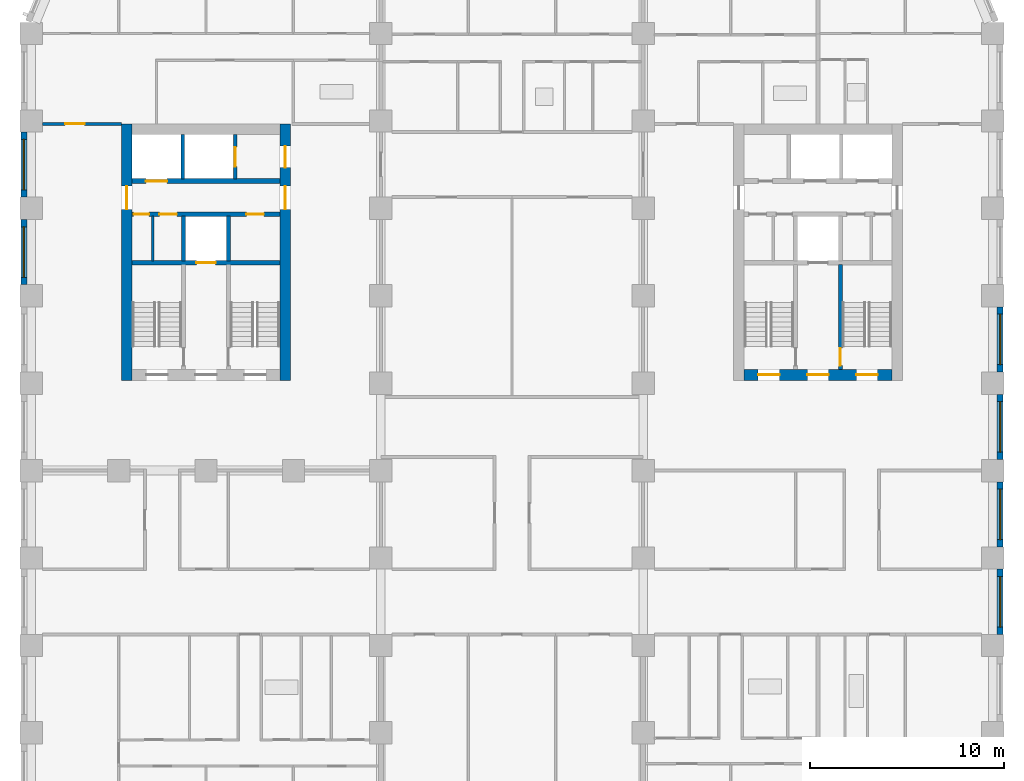
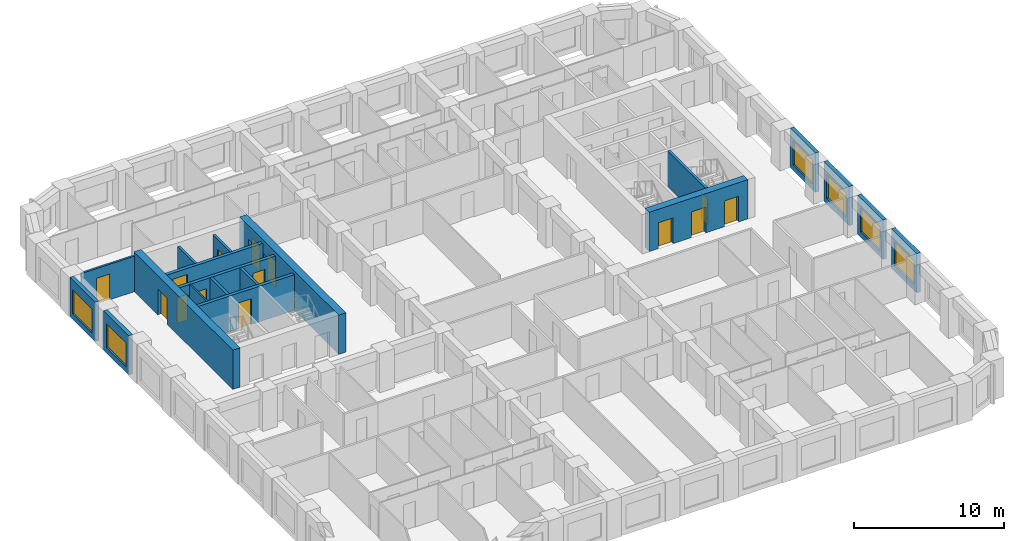
# One storey, part 6 of 13: 19 walls, 14 doors, 6 windows, 20 openings.
"""IFC4 building model written with IfcOpenShell, lengths in metres."""

from ifc_helpers import new_model, si_unit, direction, frame, frame_2d, origin, place, context, subcontext, project, spatial, rectangle, extrude, material, layer, layer_set, type_object, element, fill, save


model = new_model("IFC4")

# Units and contexts
model_context = context("Model", 3, precision=1e-05, world=origin(), true_north=direction((0.0, 1.0)))
body_context = subcontext(model_context, "Body", "Model", "MODEL_VIEW")
ifc_project = project(units=[si_unit("LENGTHUNIT", "METRE"), si_unit("AREAUNIT", "SQUARE_METRE"), si_unit("VOLUMEUNIT", "CUBIC_METRE"), si_unit("PLANEANGLEUNIT", "RADIAN"), si_unit("MASSUNIT", "GRAM", prefix="KILO")], contexts=[model_context])

# Site, building, storey
site_placement = place(None, origin())
site = spatial("IfcSite", under=ifc_project, at=site_placement, CompositionType="ELEMENT")
building_placement = place(site_placement, origin())
building = spatial("IfcBuilding", under=site, at=building_placement, Name="Girih Gate Residences", CompositionType="ELEMENT")
storey_placement = place(building_placement, frame((0.0, 0.0, 83.199951171875)))
storey = spatial("IfcBuildingStorey", under=building, at=storey_placement, Name="L22", CompositionType="ELEMENT", Elevation=83.199951171875)

# Wall, opening, door
ifc_material_1 = material(Name="Gypsum board on steel studs", Category="steel")
ifc_layer_1 = layer(ifc_material_1, 0.14990234375)
ifc_layer_set_1 = layer_set([ifc_layer_1], Name="Compartment wall 150 mm")
wall_type_1 = type_object("IfcWallType", Name="Compartment wall 150 mm", PredefinedType="PARTITIONING", material=ifc_layer_set_1)
wall_1_placement = place(storey_placement, frame((0.574951171875, 40.35009765625, 0.0), z_axis=(0.0, 0.0, 1.0), x_axis=(1.0, 0.0, 0.0)))
wall_1 = element("IfcWall", 1, at=wall_1_placement, inside=storey, type_object=wall_type_1, Name="L22 partition", PredefinedType="PARTITIONING", context=body_context, shape_type="SweptSolid", body=[
    extrude(rectangle(XDim=4.074951171875, YDim=0.14990234375, at=frame_2d((2.03759765625, 0.0))), origin(), (0.0, 0.0, 1.0), 2.900146484375),
])
opening_1_placement = place(wall_1_placement, frame((1.175048828125, 0.0, 0.0)))
opening_1 = element("IfcOpeningElement", 2, at=opening_1_placement, cuts=wall_1, Name="Opening A22-017", PredefinedType="OPENING", context=body_context, shape_type="SweptSolid", body=[
    extrude(rectangle(XDim=1.0, YDim=2.10009765625, at=frame_2d((0.5, 1.050048828125))), frame((0.0, 0.0849609375, 0.0), z_axis=(0.0, -1.0, 0.0), x_axis=(1.0, 0.0, 0.0)), (0.0, 0.0, 1.0), 0.169921875),
])
ifc_material_2 = material(Name="Timber, fire-rated core", Category="wood")
door_type_1 = type_object("IfcDoorType", Name="Flat entrance door 1000x2100 FD30S", OperationType="NOTDEFINED", PredefinedType="DOOR", material=ifc_material_2)
door_1_placement = place(opening_1_placement, origin())
door_1 = element("IfcDoor", 3, at=door_1_placement, inside=storey, type_object=door_type_1, Name="Door A22-017", OperationType="SINGLE_SWING_LEFT", OverallHeight=2.10009765625, OverallWidth=1.0, PredefinedType="DOOR", context=body_context, shape_type="SweptSolid", body=[
    extrude(rectangle(XDim=1.0, YDim=2.10009765625, at=frame_2d((0.5, 1.050048828125))), frame((0.0, 0.02490234375, 0.0), z_axis=(0.0, -1.0, 0.0), x_axis=(1.0, 0.0, 0.0)), (0.0, 0.0, 1.0), 0.050048828125),
])
fill(opening_1, door_1)

ifc_material_3 = material(Name="Concrete C60/75", Category="concrete")
ifc_layer_2 = layer(ifc_material_3, 0.550048828125)
ifc_layer_set_2 = layer_set([ifc_layer_2], Name="Core wall RC 550 Concrete C60/75")
wall_type_2 = type_object("IfcWallType", Name="Core wall RC 550 Concrete C60/75", PredefinedType="SOLIDWALL", material=ifc_layer_set_2)
wall_2_placement = place(storey_placement, frame((4.925048828125, 27.14990234375, 0.0), z_axis=(0.0, 0.0, 1.0), x_axis=(0.0, 1.0, 0.0)))
wall_2 = element("IfcWall", 4, at=wall_2_placement, inside=storey, type_object=wall_type_2, Name="Core wall W-W L22", PredefinedType="SOLIDWALL", context=body_context, shape_type="SweptSolid", body=[
    extrude(rectangle(XDim=13.2001953125, YDim=0.550048828125, at=frame_2d((6.60009765625, 0.0))), origin(), (0.0, 0.0, 1.0), 3.199951171875),
])
opening_2_placement = place(wall_2_placement, frame((8.800048828125, 0.0, 0.0)))
opening_2 = element("IfcOpeningElement", 5, at=opening_2_placement, cuts=wall_2, Name="Opening D-L22-W-013", PredefinedType="OPENING", context=body_context, shape_type="SweptSolid", body=[
    extrude(rectangle(XDim=1.199951171875, YDim=2.10009765625, at=frame_2d((0.60009765625, 1.050048828125))), frame((0.0, 0.284912109375, 0.0), z_axis=(0.0, -1.0, 0.0), x_axis=(1.0, 0.0, 0.0)), (0.0, 0.0, 1.0), 0.570068359375),
])
ifc_material_4 = material(Name="Painted steel, fire-resisting", Category="steel")
door_type_2 = type_object("IfcDoorType", Name="Fire door 1200x2100", OperationType="SINGLE_SWING_LEFT", PredefinedType="DOOR", material=ifc_material_4)
door_2_placement = place(opening_2_placement, origin())
door_2 = element("IfcDoor", 6, at=door_2_placement, inside=storey, type_object=door_type_2, Name="L22 W core door ll-w", OperationType="SINGLE_SWING_LEFT", OverallHeight=2.10009765625, OverallWidth=1.199951171875, PredefinedType="DOOR", context=body_context, shape_type="SweptSolid", body=[
    extrude(rectangle(XDim=1.199951171875, YDim=2.10009765625, at=frame_2d((0.60009765625, 1.050048828125))), frame((0.0, 0.02490234375, 0.0), z_axis=(0.0, -1.0, 0.0), x_axis=(1.0, 0.0, 0.0)), (0.0, 0.0, 1.0), 0.050048828125),
])
fill(opening_2, door_2)

# Wall, openings, doors
wall_3_placement = place(storey_placement, frame((13.074951171875, 27.14990234375, 0.0), z_axis=(0.0, 0.0, 1.0), x_axis=(0.0, 1.0, 0.0)))
wall_3 = element("IfcWall", 7, at=wall_3_placement, inside=storey, type_object=wall_type_2, Name="Core wall W-E L22", PredefinedType="SOLIDWALL", context=body_context, shape_type="SweptSolid", body=[
    extrude(rectangle(XDim=13.2001953125, YDim=0.550048828125, at=frame_2d((6.60009765625, 0.0))), origin(), (0.0, 0.0, 1.0), 3.199951171875),
])
opening_3_placement = place(wall_3_placement, frame((10.949951171875, 0.0, 0.0)))
opening_3 = element("IfcOpeningElement", 8, at=opening_3_placement, cuts=wall_3, Name="Opening D-L22-W-012", PredefinedType="OPENING", context=body_context, shape_type="SweptSolid", body=[
    extrude(rectangle(XDim=1.10009765625, YDim=2.10009765625, at=frame_2d((0.550048828125, 1.050048828125))), frame((0.0, 0.284912109375, 0.0), z_axis=(0.0, -1.0, 0.0), x_axis=(1.0, 0.0, 0.0)), (0.0, 0.0, 1.0), 0.570068359375),
])
opening_4_placement = place(wall_3_placement, frame((8.800048828125, 0.0, 0.0)))
opening_4 = element("IfcOpeningElement", 9, at=opening_4_placement, cuts=wall_3, Name="Opening D-L22-W-014", PredefinedType="OPENING", context=body_context, shape_type="SweptSolid", body=[
    extrude(rectangle(XDim=1.199951171875, YDim=2.10009765625, at=frame_2d((0.60009765625, 1.050048828125))), frame((0.0, 0.284912109375, 0.0), z_axis=(0.0, -1.0, 0.0), x_axis=(1.0, 0.0, 0.0)), (0.0, 0.0, 1.0), 0.570068359375),
])
door_type_3 = type_object("IfcDoorType", Name="Fire door 1100x2100", OperationType="SINGLE_SWING_LEFT", PredefinedType="DOOR", material=ifc_material_4)
door_3_placement = place(opening_3_placement, origin())
door_3 = element("IfcDoor", 10, at=door_3_placement, inside=storey, type_object=door_type_3, Name="L22 W core door ffl2-e", OperationType="SINGLE_SWING_LEFT", OverallHeight=2.10009765625, OverallWidth=1.10009765625, PredefinedType="DOOR", context=body_context, shape_type="SweptSolid", body=[
    extrude(rectangle(XDim=1.10009765625, YDim=2.10009765625, at=frame_2d((0.550048828125, 1.050048828125))), frame((0.0, 0.02490234375, 0.0), z_axis=(0.0, -1.0, 0.0), x_axis=(1.0, 0.0, 0.0)), (0.0, 0.0, 1.0), 0.050048828125),
])
fill(opening_3, door_3)
door_4_placement = place(opening_4_placement, origin())
door_4 = element("IfcDoor", 11, at=door_4_placement, inside=storey, type_object=door_type_2, Name="L22 W core door ll-e", OperationType="SINGLE_SWING_LEFT", OverallHeight=2.10009765625, OverallWidth=1.199951171875, PredefinedType="DOOR", context=body_context, shape_type="SweptSolid", body=[
    extrude(rectangle(XDim=1.199951171875, YDim=2.10009765625, at=frame_2d((0.60009765625, 1.050048828125))), frame((0.0, 0.02490234375, 0.0), z_axis=(0.0, -1.0, 0.0), x_axis=(1.0, 0.0, 0.0)), (0.0, 0.0, 1.0), 0.050048828125),
])
fill(opening_4, door_4)

wall_4_placement = place(storey_placement, frame((36.699951171875, 27.425048828125, 0.0), z_axis=(0.0, 0.0, 1.0), x_axis=(1.0, 0.0, 0.0)))
wall_4 = element("IfcWall", 12, at=wall_4_placement, inside=storey, type_object=wall_type_2, Name="Core wall E-S L22", PredefinedType="SOLIDWALL", context=body_context, shape_type="SweptSolid", body=[
    extrude(rectangle(XDim=7.60009765625, YDim=0.550048828125, at=frame_2d((3.800048828125, 0.0))), origin(), (0.0, 0.0, 1.0), 3.199951171875),
])
opening_5_placement = place(wall_4_placement, frame((5.77490234375, 0.0, 0.0)))
opening_5 = element("IfcOpeningElement", 13, at=opening_5_placement, cuts=wall_4, Name="Opening D-L22-E-011", PredefinedType="OPENING", context=body_context, shape_type="SweptSolid", body=[
    extrude(rectangle(XDim=1.10009765625, YDim=2.10009765625, at=frame_2d((0.550048828125, 1.050048828125))), frame((0.0, 0.284912109375, 0.0), z_axis=(0.0, -1.0, 0.0), x_axis=(1.0, 0.0, 0.0)), (0.0, 0.0, 1.0), 0.570068359375),
])
opening_6_placement = place(wall_4_placement, frame((3.25, 0.0, 0.0)))
opening_6 = element("IfcOpeningElement", 14, at=opening_6_placement, cuts=wall_4, Name="Opening D-L22-E-012", PredefinedType="OPENING", context=body_context, shape_type="SweptSolid", body=[
    extrude(rectangle(XDim=1.10009765625, YDim=2.10009765625, at=frame_2d((0.550048828125, 1.050048828125))), frame((0.0, 0.284912109375, 0.0), z_axis=(0.0, -1.0, 0.0), x_axis=(1.0, 0.0, 0.0)), (0.0, 0.0, 1.0), 0.570068359375),
])
opening_7_placement = place(wall_4_placement, frame((0.72509765625, 0.0, 0.0)))
opening_7 = element("IfcOpeningElement", 15, at=opening_7_placement, cuts=wall_4, Name="Opening D-L22-E-013", PredefinedType="OPENING", context=body_context, shape_type="SweptSolid", body=[
    extrude(rectangle(XDim=1.10009765625, YDim=2.10009765625, at=frame_2d((0.550048828125, 1.050048828125))), frame((0.0, 0.284912109375, 0.0), z_axis=(0.0, -1.0, 0.0), x_axis=(1.0, 0.0, 0.0)), (0.0, 0.0, 1.0), 0.570068359375),
])
door_5_placement = place(opening_5_placement, origin())
door_5 = element("IfcDoor", 16, at=door_5_placement, inside=storey, type_object=door_type_3, Name="L22 E core door sta-out", OperationType="SINGLE_SWING_LEFT", OverallHeight=2.10009765625, OverallWidth=1.10009765625, PredefinedType="DOOR", context=body_context, shape_type="SweptSolid", body=[
    extrude(rectangle(XDim=1.10009765625, YDim=2.10009765625, at=frame_2d((0.550048828125, 1.050048828125))), frame((0.0, 0.02490234375, 0.0), z_axis=(0.0, -1.0, 0.0), x_axis=(1.0, 0.0, 0.0)), (0.0, 0.0, 1.0), 0.050048828125),
])
fill(opening_5, door_5)
door_6_placement = place(opening_6_placement, origin())
door_6 = element("IfcDoor", 17, at=door_6_placement, inside=storey, type_object=door_type_3, Name="L22 E core door ffl-out", OperationType="SINGLE_SWING_LEFT", OverallHeight=2.10009765625, OverallWidth=1.10009765625, PredefinedType="DOOR", context=body_context, shape_type="SweptSolid", body=[
    extrude(rectangle(XDim=1.10009765625, YDim=2.10009765625, at=frame_2d((0.550048828125, 1.050048828125))), frame((0.0, 0.02490234375, 0.0), z_axis=(0.0, -1.0, 0.0), x_axis=(1.0, 0.0, 0.0)), (0.0, 0.0, 1.0), 0.050048828125),
])
fill(opening_6, door_6)
door_7_placement = place(opening_7_placement, origin())
door_7 = element("IfcDoor", 18, at=door_7_placement, inside=storey, type_object=door_type_3, Name="L22 E core door stb-out", OperationType="SINGLE_SWING_LEFT", OverallHeight=2.10009765625, OverallWidth=1.10009765625, PredefinedType="DOOR", context=body_context, shape_type="SweptSolid", body=[
    extrude(rectangle(XDim=1.10009765625, YDim=2.10009765625, at=frame_2d((0.550048828125, 1.050048828125))), frame((0.0, 0.02490234375, 0.0), z_axis=(0.0, -1.0, 0.0), x_axis=(1.0, 0.0, 0.0)), (0.0, 0.0, 1.0), 0.050048828125),
])
fill(opening_7, door_7)

# Wall, opening, door
ifc_material_5 = material(Name="Concrete C40/50", Category="concrete")
ifc_layer_3 = layer(ifc_material_5, 0.25)
ifc_layer_set_3 = layer_set([ifc_layer_3], Name="Lift shaft wall 250")
wall_type_3 = type_object("IfcWallType", Name="Lift shaft wall 250", PredefinedType="SOLIDWALL", material=ifc_layer_set_3)
wall_5_placement = place(storey_placement, frame((5.199951171875, 33.199951171875, 0.0), z_axis=(0.0, 0.0, 1.0), x_axis=(1.0, 0.0, 0.0)))
wall_5 = element("IfcWall", 19, at=wall_5_placement, inside=storey, type_object=wall_type_3, Name="L22 W core wall H1", PredefinedType="SOLIDWALL", context=body_context, shape_type="SweptSolid", body=[
    extrude(rectangle(XDim=7.60009765625, YDim=0.25, at=frame_2d((3.800048828125, 0.0))), origin(), (0.0, 0.0, 1.0), 2.900146484375),
])
opening_8_placement = place(wall_5_placement, frame((3.300048828125, 0.0, 0.0)))
opening_8 = element("IfcOpeningElement", 20, at=opening_8_placement, cuts=wall_5, Name="Opening D-L22-W-005", PredefinedType="OPENING", context=body_context, shape_type="SweptSolid", body=[
    extrude(rectangle(XDim=1.0, YDim=2.10009765625, at=frame_2d((0.5, 1.050048828125))), frame((0.0, 0.135009765625, 0.0), z_axis=(0.0, -1.0, 0.0), x_axis=(1.0, 0.0, 0.0)), (0.0, 0.0, 1.0), 0.27001953125),
])
ifc_material_6 = material(Name="Stainless steel, fire-resisting", Category="steel")
door_type_4 = type_object("IfcDoorType", Name="Firefighting lift landing door 1000x2100", OperationType="SLIDING_TO_LEFT", PredefinedType="DOOR", material=ifc_material_6)
door_8_placement = place(opening_8_placement, origin())
door_8 = element("IfcDoor", 21, at=door_8_placement, inside=storey, type_object=door_type_4, Name="L22 lift FF-W landing door", OperationType="SLIDING_TO_LEFT", OverallHeight=2.10009765625, OverallWidth=1.0, PredefinedType="DOOR", context=body_context, shape_type="SweptSolid", body=[
    extrude(rectangle(XDim=1.0, YDim=2.10009765625, at=frame_2d((0.5, 1.050048828125))), frame((0.0, 0.02490234375, 0.0), z_axis=(0.0, -1.0, 0.0), x_axis=(1.0, 0.0, 0.0)), (0.0, 0.0, 1.0), 0.050048828125),
])
fill(opening_8, door_8)

# Wall, openings, doors
wall_6_placement = place(storey_placement, frame((5.199951171875, 35.699951171875, 0.0), z_axis=(0.0, 0.0, 1.0), x_axis=(1.0, 0.0, 0.0)))
wall_6 = element("IfcWall", 22, at=wall_6_placement, inside=storey, type_object=wall_type_3, Name="L22 W core wall H2", PredefinedType="SOLIDWALL", context=body_context, shape_type="SweptSolid", body=[
    extrude(rectangle(XDim=7.60009765625, YDim=0.25, at=frame_2d((3.800048828125, 0.0))), origin(), (0.0, 0.0, 1.0), 2.900146484375),
])
opening_9_placement = place(wall_6_placement, frame((0.074951171875, 0.0, 0.0)))
opening_9 = element("IfcOpeningElement", 23, at=opening_9_placement, cuts=wall_6, Name="Opening D-L22-W-006", PredefinedType="OPENING", context=body_context, shape_type="SweptSolid", body=[
    extrude(rectangle(XDim=0.800048828125, YDim=2.10009765625, at=frame_2d((0.39990234375, 1.050048828125))), frame((0.0, 0.135009765625, 0.0), z_axis=(0.0, -1.0, 0.0), x_axis=(1.0, 0.0, 0.0)), (0.0, 0.0, 1.0), 0.27001953125),
])
opening_10_placement = place(wall_6_placement, frame((1.39990234375, 0.0, 0.0)))
opening_10 = element("IfcOpeningElement", 24, at=opening_10_placement, cuts=wall_6, Name="Opening D-L22-W-007", PredefinedType="OPENING", context=body_context, shape_type="SweptSolid", body=[
    extrude(rectangle(XDim=0.89990234375, YDim=2.10009765625, at=frame_2d((0.449951171875, 1.050048828125))), frame((0.0, 0.135009765625, 0.0), z_axis=(0.0, -1.0, 0.0), x_axis=(1.0, 0.0, 0.0)), (0.0, 0.0, 1.0), 0.27001953125),
])
opening_11_placement = place(wall_6_placement, frame((5.875, 0.0, 0.0)))
opening_11 = element("IfcOpeningElement", 25, at=opening_11_placement, cuts=wall_6, Name="Opening D-L22-W-008", PredefinedType="OPENING", context=body_context, shape_type="SweptSolid", body=[
    extrude(rectangle(XDim=0.89990234375, YDim=2.10009765625, at=frame_2d((0.449951171875, 1.050048828125))), frame((0.0, 0.135009765625, 0.0), z_axis=(0.0, -1.0, 0.0), x_axis=(1.0, 0.0, 0.0)), (0.0, 0.0, 1.0), 0.27001953125),
])
door_type_5 = type_object("IfcDoorType", Name="Fire door 800x2100", OperationType="SINGLE_SWING_LEFT", PredefinedType="DOOR", material=ifc_material_4)
door_9_placement = place(opening_9_placement, origin())
door_9 = element("IfcDoor", 26, at=door_9_placement, inside=storey, type_object=door_type_5, Name="L22 W store door", OperationType="SINGLE_SWING_LEFT", OverallHeight=2.10009765625, OverallWidth=0.800048828125, PredefinedType="DOOR", context=body_context, shape_type="SweptSolid", body=[
    extrude(rectangle(XDim=0.800048828125, YDim=2.10009765625, at=frame_2d((0.39990234375, 1.050048828125))), frame((0.0, 0.02490234375, 0.0), z_axis=(0.0, -1.0, 0.0), x_axis=(1.0, 0.0, 0.0)), (0.0, 0.0, 1.0), 0.050048828125),
])
fill(opening_9, door_9)
door_type_6 = type_object("IfcDoorType", Name="Fire door 900x2100", OperationType="SINGLE_SWING_LEFT", PredefinedType="DOOR", material=ifc_material_4)
door_10_placement = place(opening_10_placement, origin())
door_10 = element("IfcDoor", 27, at=door_10_placement, inside=storey, type_object=door_type_6, Name="L22 W comms room door", OperationType="SINGLE_SWING_LEFT", OverallHeight=2.10009765625, OverallWidth=0.89990234375, PredefinedType="DOOR", context=body_context, shape_type="SweptSolid", body=[
    extrude(rectangle(XDim=0.89990234375, YDim=2.10009765625, at=frame_2d((0.449951171875, 1.050048828125))), frame((0.0, 0.02490234375, 0.0), z_axis=(0.0, -1.0, 0.0), x_axis=(1.0, 0.0, 0.0)), (0.0, 0.0, 1.0), 0.050048828125),
])
fill(opening_10, door_10)
door_11_placement = place(opening_11_placement, origin())
door_11 = element("IfcDoor", 28, at=door_11_placement, inside=storey, type_object=door_type_6, Name="L22 W refuse store door", OperationType="SINGLE_SWING_LEFT", OverallHeight=2.10009765625, OverallWidth=0.89990234375, PredefinedType="DOOR", context=body_context, shape_type="SweptSolid", body=[
    extrude(rectangle(XDim=0.89990234375, YDim=2.10009765625, at=frame_2d((0.449951171875, 1.050048828125))), frame((0.0, 0.02490234375, 0.0), z_axis=(0.0, -1.0, 0.0), x_axis=(1.0, 0.0, 0.0)), (0.0, 0.0, 1.0), 0.050048828125),
])
fill(opening_11, door_11)

# Wall, opening, door
wall_7_placement = place(storey_placement, frame((5.199951171875, 37.39990234375, 0.0), z_axis=(0.0, 0.0, 1.0), x_axis=(1.0, 0.0, 0.0)))
wall_7 = element("IfcWall", 29, at=wall_7_placement, inside=storey, type_object=wall_type_3, Name="L22 W core wall H3", PredefinedType="SOLIDWALL", context=body_context, shape_type="SweptSolid", body=[
    extrude(rectangle(XDim=7.60009765625, YDim=0.25, at=frame_2d((3.800048828125, 0.0))), origin(), (0.0, 0.0, 1.0), 2.900146484375),
])
opening_12_placement = place(wall_7_placement, frame((0.699951171875, 0.0, 0.0)))
opening_12 = element("IfcOpeningElement", 30, at=opening_12_placement, cuts=wall_7, Name="Opening D-L22-W-003", PredefinedType="OPENING", context=body_context, shape_type="SweptSolid", body=[
    extrude(rectangle(XDim=1.10009765625, YDim=2.39990234375, at=frame_2d((0.550048828125, 1.199951171875))), frame((0.0, 0.135009765625, 0.0), z_axis=(0.0, -1.0, 0.0), x_axis=(1.0, 0.0, 0.0)), (0.0, 0.0, 1.0), 0.27001953125),
])
ifc_material_7 = material(Name="Stainless steel", Category="steel")
door_type_7 = type_object("IfcDoorType", Name="Lift landing door 1100x2400", OperationType="SLIDING_TO_LEFT", PredefinedType="DOOR", material=ifc_material_7)
door_12_placement = place(opening_12_placement, origin())
door_12 = element("IfcDoor", 31, at=door_12_placement, inside=storey, type_object=door_type_7, Name="L22 lift LR-W1 landing door", OperationType="SLIDING_TO_LEFT", OverallHeight=2.39990234375, OverallWidth=1.10009765625, PredefinedType="DOOR", context=body_context, shape_type="SweptSolid", body=[
    extrude(rectangle(XDim=1.10009765625, YDim=2.39990234375, at=frame_2d((0.550048828125, 1.199951171875))), frame((0.0, 0.02490234375, 0.0), z_axis=(0.0, -1.0, 0.0), x_axis=(1.0, 0.0, 0.0)), (0.0, 0.0, 1.0), 0.050048828125),
])
fill(opening_12, door_12)

# Wall, opening, window
ifc_material_8 = material(Name="Precast concrete C50/60", Category="concrete")
ifc_layer_4 = layer(ifc_material_8, 0.080078125, Name="Outer leaf")
ifc_material_9 = material(Name="Rigid PIR insulation")
ifc_layer_5 = layer(ifc_material_9, 0.14990234375, Name="Insulation")
ifc_material_10 = material(Name="Precast concrete C40/50", Category="concrete")
ifc_layer_6 = layer(ifc_material_10, 0.070068359375, Name="Inner leaf")
ifc_layer_set_4 = layer_set([ifc_layer_4, ifc_layer_5, ifc_layer_6], Name="Precast concrete C50/60 external wall 300")
wall_type_4 = type_object("IfcWallType", Name="Precast concrete C50/60 external wall 300", PredefinedType="SOLIDWALL", material=ifc_layer_set_4)
wall_8_placement = place(storey_placement, frame((49.875, 17.425048828125, 0.0), z_axis=(0.0, 0.0, 1.0), x_axis=(0.0, -1.0, 0.0)))
wall_8 = element("IfcWall", 32, at=wall_8_placement, inside=storey, type_object=wall_type_4, Name="External wall E0495_0045.2", PredefinedType="SOLIDWALL", context=body_context, shape_type="SweptSolid", body=[
    extrude(rectangle(XDim=3.35009765625, YDim=0.300048828125, at=frame_2d((1.675048828125, 0.0))), origin(), (0.0, 0.0, 1.0), 3.199951171875),
])
opening_13_placement = place(wall_8_placement, frame((0.375, 0.0, 0.449951171875)))
opening_13 = element("IfcOpeningElement", 33, at=opening_13_placement, cuts=wall_8, Name="Opening W-1A", PredefinedType="OPENING", context=body_context, shape_type="SweptSolid", body=[
    extrude(rectangle(XDim=2.60009765625, YDim=1.949951171875, at=frame_2d((1.300048828125, 0.97509765625))), frame((0.0, 0.159912109375, 0.0), z_axis=(0.0, -1.0, 0.0), x_axis=(1.0, 0.0, 0.0)), (0.0, 0.0, 1.0), 0.320068359375),
])
ifc_material_11 = material(Name="Double glazing in aluminium frame", Category="aluminium")
window_type = type_object("IfcWindowType", Name="Window W-1A 2600x1950", PartitioningType="SINGLE_PANEL", PredefinedType="WINDOW", material=ifc_material_11)
window_1_placement = place(opening_13_placement, origin())
window_1 = element("IfcWindow", 34, at=window_1_placement, inside=storey, type_object=window_type, Name="Window W-1A E0495_0045.2", OverallHeight=1.949951171875, OverallWidth=2.60009765625, PartitioningType="SINGLE_PANEL", PredefinedType="WINDOW", context=body_context, shape_type="SweptSolid", body=[
    extrude(rectangle(XDim=2.60009765625, YDim=1.949951171875, at=frame_2d((1.300048828125, 0.97509765625))), frame((0.0, 0.030029296875, 0.0), z_axis=(0.0, -1.0, 0.0), x_axis=(1.0, 0.0, 0.0)), (0.0, 0.0, 1.0), 0.06005859375),
])
fill(opening_13, window_1)

wall_9_placement = place(storey_placement, frame((49.875, 21.925048828125, 0.0), z_axis=(0.0, 0.0, 1.0), x_axis=(0.0, -1.0, 0.0)))
wall_9 = element("IfcWall", 35, at=wall_9_placement, inside=storey, type_object=wall_type_4, Name="External wall E0495_0045.3", PredefinedType="SOLIDWALL", context=body_context, shape_type="SweptSolid", body=[
    extrude(rectangle(XDim=3.35009765625, YDim=0.300048828125, at=frame_2d((1.675048828125, 0.0))), origin(), (0.0, 0.0, 1.0), 3.199951171875),
])
opening_14_placement = place(wall_9_placement, frame((0.375, 0.0, 0.449951171875)))
opening_14 = element("IfcOpeningElement", 36, at=opening_14_placement, cuts=wall_9, Name="Opening W-1A", PredefinedType="OPENING", context=body_context, shape_type="SweptSolid", body=[
    extrude(rectangle(XDim=2.60009765625, YDim=1.949951171875, at=frame_2d((1.300048828125, 0.97509765625))), frame((0.0, 0.159912109375, 0.0), z_axis=(0.0, -1.0, 0.0), x_axis=(1.0, 0.0, 0.0)), (0.0, 0.0, 1.0), 0.320068359375),
])
window_2_placement = place(opening_14_placement, origin())
window_2 = element("IfcWindow", 37, at=window_2_placement, inside=storey, type_object=window_type, Name="Window W-1A E0495_0045.3", OverallHeight=1.949951171875, OverallWidth=2.60009765625, PartitioningType="SINGLE_PANEL", PredefinedType="WINDOW", context=body_context, shape_type="SweptSolid", body=[
    extrude(rectangle(XDim=2.60009765625, YDim=1.949951171875, at=frame_2d((1.300048828125, 0.97509765625))), frame((0.0, 0.030029296875, 0.0), z_axis=(0.0, -1.0, 0.0), x_axis=(1.0, 0.0, 0.0)), (0.0, 0.0, 1.0), 0.06005859375),
])
fill(opening_14, window_2)

wall_10_placement = place(storey_placement, frame((49.875, 26.425048828125, 0.0), z_axis=(0.0, 0.0, 1.0), x_axis=(0.0, -1.0, 0.0)))
wall_10 = element("IfcWall", 38, at=wall_10_placement, inside=storey, type_object=wall_type_4, Name="External wall E0495_0045.4", PredefinedType="SOLIDWALL", context=body_context, shape_type="SweptSolid", body=[
    extrude(rectangle(XDim=3.35009765625, YDim=0.300048828125, at=frame_2d((1.675048828125, 0.0))), origin(), (0.0, 0.0, 1.0), 3.199951171875),
])
opening_15_placement = place(wall_10_placement, frame((0.375, 0.0, 0.449951171875)))
opening_15 = element("IfcOpeningElement", 39, at=opening_15_placement, cuts=wall_10, Name="Opening W-1A", PredefinedType="OPENING", context=body_context, shape_type="SweptSolid", body=[
    extrude(rectangle(XDim=2.60009765625, YDim=1.949951171875, at=frame_2d((1.300048828125, 0.97509765625))), frame((0.0, 0.159912109375, 0.0), z_axis=(0.0, -1.0, 0.0), x_axis=(1.0, 0.0, 0.0)), (0.0, 0.0, 1.0), 0.320068359375),
])
window_3_placement = place(opening_15_placement, origin())
window_3 = element("IfcWindow", 40, at=window_3_placement, inside=storey, type_object=window_type, Name="Window W-1A E0495_0045.4", OverallHeight=1.949951171875, OverallWidth=2.60009765625, PartitioningType="SINGLE_PANEL", PredefinedType="WINDOW", context=body_context, shape_type="SweptSolid", body=[
    extrude(rectangle(XDim=2.60009765625, YDim=1.949951171875, at=frame_2d((1.300048828125, 0.97509765625))), frame((0.0, 0.030029296875, 0.0), z_axis=(0.0, -1.0, 0.0), x_axis=(1.0, 0.0, 0.0)), (0.0, 0.0, 1.0), 0.06005859375),
])
fill(opening_15, window_3)

wall_11_placement = place(storey_placement, frame((49.875, 30.925048828125, 0.0), z_axis=(0.0, 0.0, 1.0), x_axis=(0.0, -1.0, 0.0)))
wall_11 = element("IfcWall", 41, at=wall_11_placement, inside=storey, type_object=wall_type_4, Name="External wall E0495_0045.5", PredefinedType="SOLIDWALL", context=body_context, shape_type="SweptSolid", body=[
    extrude(rectangle(XDim=3.35009765625, YDim=0.300048828125, at=frame_2d((1.675048828125, 0.0))), origin(), (0.0, 0.0, 1.0), 3.199951171875),
])
opening_16_placement = place(wall_11_placement, frame((0.375, 0.0, 0.449951171875)))
opening_16 = element("IfcOpeningElement", 42, at=opening_16_placement, cuts=wall_11, Name="Opening W-1A", PredefinedType="OPENING", context=body_context, shape_type="SweptSolid", body=[
    extrude(rectangle(XDim=2.60009765625, YDim=1.949951171875, at=frame_2d((1.300048828125, 0.97509765625))), frame((0.0, 0.159912109375, 0.0), z_axis=(0.0, -1.0, 0.0), x_axis=(1.0, 0.0, 0.0)), (0.0, 0.0, 1.0), 0.320068359375),
])
window_4_placement = place(opening_16_placement, origin())
window_4 = element("IfcWindow", 43, at=window_4_placement, inside=storey, type_object=window_type, Name="Window W-1A E0495_0045.5", OverallHeight=1.949951171875, OverallWidth=2.60009765625, PartitioningType="SINGLE_PANEL", PredefinedType="WINDOW", context=body_context, shape_type="SweptSolid", body=[
    extrude(rectangle(XDim=2.60009765625, YDim=1.949951171875, at=frame_2d((1.300048828125, 0.97509765625))), frame((0.0, 0.030029296875, 0.0), z_axis=(0.0, -1.0, 0.0), x_axis=(1.0, 0.0, 0.0)), (0.0, 0.0, 1.0), 0.06005859375),
])
fill(opening_16, window_4)

wall_12_placement = place(storey_placement, frame((-0.375, 36.574951171875, 0.0), z_axis=(0.0, 0.0, 1.0), x_axis=(0.0, 1.0, 0.0)))
wall_12 = element("IfcWall", 44, at=wall_12_placement, inside=storey, type_object=wall_type_4, Name="External wall W0000_0450.1", PredefinedType="SOLIDWALL", context=body_context, shape_type="SweptSolid", body=[
    extrude(rectangle(XDim=3.35009765625, YDim=0.300048828125, at=frame_2d((1.675048828125, 0.0))), origin(), (0.0, 0.0, 1.0), 3.199951171875),
])
opening_17_placement = place(wall_12_placement, frame((0.375, 0.0, 0.449951171875)))
opening_17 = element("IfcOpeningElement", 45, at=opening_17_placement, cuts=wall_12, Name="Opening W-1A", PredefinedType="OPENING", context=body_context, shape_type="SweptSolid", body=[
    extrude(rectangle(XDim=2.60009765625, YDim=1.949951171875, at=frame_2d((1.300048828125, 0.97509765625))), frame((0.0, 0.159912109375, 0.0), z_axis=(0.0, -1.0, 0.0), x_axis=(1.0, 0.0, 0.0)), (0.0, 0.0, 1.0), 0.320068359375),
])
window_5_placement = place(opening_17_placement, origin())
window_5 = element("IfcWindow", 46, at=window_5_placement, inside=storey, type_object=window_type, Name="Window W-1A W0000_0450.1", OverallHeight=1.949951171875, OverallWidth=2.60009765625, PartitioningType="SINGLE_PANEL", PredefinedType="WINDOW", context=body_context, shape_type="SweptSolid", body=[
    extrude(rectangle(XDim=2.60009765625, YDim=1.949951171875, at=frame_2d((1.300048828125, 0.97509765625))), frame((0.0, 0.030029296875, 0.0), z_axis=(0.0, -1.0, 0.0), x_axis=(1.0, 0.0, 0.0)), (0.0, 0.0, 1.0), 0.06005859375),
])
fill(opening_17, window_5)

wall_13_placement = place(storey_placement, frame((-0.375, 32.074951171875, 0.0), z_axis=(0.0, 0.0, 1.0), x_axis=(0.0, 1.0, 0.0)))
wall_13 = element("IfcWall", 47, at=wall_13_placement, inside=storey, type_object=wall_type_4, Name="External wall W0000_0450.2", PredefinedType="SOLIDWALL", context=body_context, shape_type="SweptSolid", body=[
    extrude(rectangle(XDim=3.35009765625, YDim=0.300048828125, at=frame_2d((1.675048828125, 0.0))), origin(), (0.0, 0.0, 1.0), 3.199951171875),
])
opening_18_placement = place(wall_13_placement, frame((0.375, 0.0, 0.449951171875)))
opening_18 = element("IfcOpeningElement", 48, at=opening_18_placement, cuts=wall_13, Name="Opening W-1A", PredefinedType="OPENING", context=body_context, shape_type="SweptSolid", body=[
    extrude(rectangle(XDim=2.60009765625, YDim=1.949951171875, at=frame_2d((1.300048828125, 0.97509765625))), frame((0.0, 0.159912109375, 0.0), z_axis=(0.0, -1.0, 0.0), x_axis=(1.0, 0.0, 0.0)), (0.0, 0.0, 1.0), 0.320068359375),
])
window_6_placement = place(opening_18_placement, origin())
window_6 = element("IfcWindow", 49, at=window_6_placement, inside=storey, type_object=window_type, Name="Window W-1A W0000_0450.2", OverallHeight=1.949951171875, OverallWidth=2.60009765625, PartitioningType="SINGLE_PANEL", PredefinedType="WINDOW", context=body_context, shape_type="SweptSolid", body=[
    extrude(rectangle(XDim=2.60009765625, YDim=1.949951171875, at=frame_2d((1.300048828125, 0.97509765625))), frame((0.0, 0.030029296875, 0.0), z_axis=(0.0, -1.0, 0.0), x_axis=(1.0, 0.0, 0.0)), (0.0, 0.0, 1.0), 0.06005859375),
])
fill(opening_18, window_6)

# Wall
ifc_layer_7 = layer(ifc_material_5, 0.175048828125)
ifc_layer_set_5 = layer_set([ifc_layer_7], Name="Riser shaft wall 175")
wall_type_5 = type_object("IfcWallType", Name="Riser shaft wall 175", PredefinedType="SOLIDWALL", material=ifc_layer_set_5)
wall_14_placement = place(storey_placement, frame((7.800048828125, 37.5, 0.0), z_axis=(0.0, 0.0, 1.0), x_axis=(0.0, 1.0, 0.0)))
element("IfcWall", 50, at=wall_14_placement, inside=storey, type_object=wall_type_5, Name="L22 W core wall V1c", PredefinedType="SOLIDWALL", context=body_context, shape_type="SweptSolid", body=[
    extrude(rectangle(XDim=2.300048828125, YDim=0.175048828125, at=frame_2d((1.14990234375, 0.0))), origin(), (0.0, 0.0, 1.0), 2.900146484375),
])

# Wall, opening, door
wall_15_placement = place(storey_placement, frame((10.5, 37.5, 0.0), z_axis=(0.0, 0.0, 1.0), x_axis=(0.0, 1.0, 0.0)))
wall_15 = element("IfcWall", 51, at=wall_15_placement, inside=storey, type_object=wall_type_5, Name="L22 W core wall V2c", PredefinedType="SOLIDWALL", context=body_context, shape_type="SweptSolid", body=[
    extrude(rectangle(XDim=2.300048828125, YDim=0.175048828125, at=frame_2d((1.14990234375, 0.0))), origin(), (0.0, 0.0, 1.0), 2.900146484375),
])
opening_19_placement = place(wall_15_placement, frame((0.64990234375, 0.0, 0.0)))
opening_19 = element("IfcOpeningElement", 52, at=opening_19_placement, cuts=wall_15, Name="Opening D-L22-W-004", PredefinedType="OPENING", context=body_context, shape_type="SweptSolid", body=[
    extrude(rectangle(XDim=1.0, YDim=2.10009765625, at=frame_2d((0.5, 1.050048828125))), frame((0.0, 0.097412109375, 0.0), z_axis=(0.0, -1.0, 0.0), x_axis=(1.0, 0.0, 0.0)), (0.0, 0.0, 1.0), 0.195068359375),
])
door_13_placement = place(opening_19_placement, origin())
door_13 = element("IfcDoor", 53, at=door_13_placement, inside=storey, type_object=door_type_4, Name="L22 lift FF-W2 landing door", OperationType="SLIDING_TO_LEFT", OverallHeight=2.10009765625, OverallWidth=1.0, PredefinedType="DOOR", context=body_context, shape_type="SweptSolid", body=[
    extrude(rectangle(XDim=1.0, YDim=2.10009765625, at=frame_2d((0.5, 1.050048828125))), frame((0.0, 0.02490234375, 0.0), z_axis=(0.0, -1.0, 0.0), x_axis=(1.0, 0.0, 0.0)), (0.0, 0.0, 1.0), 0.050048828125),
])
fill(opening_19, door_13)

# Walls
ifc_layer_8 = layer(ifc_material_5, 0.199951171875)
ifc_layer_set_6 = layer_set([ifc_layer_8], Name="Shaft wall 200")
wall_type_6 = type_object("IfcWallType", Name="Shaft wall 200", PredefinedType="SOLIDWALL", material=ifc_layer_set_6)
for number, where, z_axis, x_axis, name in (
    (54, (7.85009765625, 33.300048828125, 0.0), (0.0, 0.0, 1.0), (0.0, 1.0, 0.0), "L22 W core wall V1b"),
    (55, (10.14990234375, 33.300048828125, 0.0), (0.0, 0.0, 1.0), (0.0, 1.0, 0.0), "L22 W core wall V2b"),
):
    element("IfcWall", number, at=place(storey_placement, frame(where, z_axis=z_axis, x_axis=x_axis)), inside=storey, type_object=wall_type_6, Name=name, PredefinedType="SOLIDWALL", context=body_context, shape_type="SweptSolid", body=[
        extrude(rectangle(XDim=2.300048828125, YDim=0.199951171875, at=frame_2d((1.14990234375, 0.0))), origin(), (0.0, 0.0, 1.0), 2.900146484375),
    ])

# Wall, opening, door
wall_16_placement = place(storey_placement, frame((41.64990234375, 27.699951171875, 0.0), z_axis=(0.0, 0.0, 1.0), x_axis=(0.0, 1.0, 0.0)))
wall_16 = element("IfcWall", 56, at=wall_16_placement, inside=storey, type_object=wall_type_6, Name="L22 E core wall V1a", PredefinedType="SOLIDWALL", context=body_context, shape_type="SweptSolid", body=[
    extrude(rectangle(XDim=5.400146484375, YDim=0.199951171875, at=frame_2d((2.7001953125, 0.0))), origin(), (0.0, 0.0, 1.0), 2.900146484375),
])
opening_20_placement = place(wall_16_placement, frame((0.199951171875, 0.0, 0.0)))
opening_20 = element("IfcOpeningElement", 57, at=opening_20_placement, cuts=wall_16, Name="Opening D-L22-E-001", PredefinedType="OPENING", context=body_context, shape_type="SweptSolid", body=[
    extrude(rectangle(XDim=0.89990234375, YDim=2.10009765625, at=frame_2d((0.449951171875, 1.050048828125))), frame((0.0, 0.10986328125, 0.0), z_axis=(0.0, -1.0, 0.0), x_axis=(1.0, 0.0, 0.0)), (0.0, 0.0, 1.0), 0.219970703125),
])
door_14_placement = place(opening_20_placement, origin())
door_14 = element("IfcDoor", 58, at=door_14_placement, inside=storey, type_object=door_type_6, Name="L22 E door stair 1 to firefighting lobby", OperationType="SINGLE_SWING_LEFT", OverallHeight=2.10009765625, OverallWidth=0.89990234375, PredefinedType="DOOR", context=body_context, shape_type="SweptSolid", body=[
    extrude(rectangle(XDim=0.89990234375, YDim=2.10009765625, at=frame_2d((0.449951171875, 1.050048828125))), frame((0.0, 0.02490234375, 0.0), z_axis=(0.0, -1.0, 0.0), x_axis=(1.0, 0.0, 0.0)), (0.0, 0.0, 1.0), 0.050048828125),
])
fill(opening_20, door_14)

# Wall
ifc_material_12 = material(Name="Calcium silicate blockwork", Category="masonry")
ifc_layer_9 = layer(ifc_material_12, 0.125)
ifc_layer_set_7 = layer_set([ifc_layer_9], Name="Store partition 125")
wall_type_7 = type_object("IfcWallType", Name="Store partition 125", PredefinedType="PARTITIONING", material=ifc_layer_set_7)
wall_17_placement = place(storey_placement, frame((6.25, 33.300048828125, 0.0), z_axis=(0.0, 0.0, 1.0), x_axis=(0.0, 1.0, 0.0)))
element("IfcWall", 59, at=wall_17_placement, inside=storey, type_object=wall_type_7, Name="L22 W core wall SHR1", PredefinedType="PARTITIONING", context=body_context, shape_type="SweptSolid", body=[
    extrude(rectangle(XDim=2.300048828125, YDim=0.125, at=frame_2d((1.14990234375, 0.0))), origin(), (0.0, 0.0, 1.0), 2.900146484375),
])

save(model, "model.ifc")
